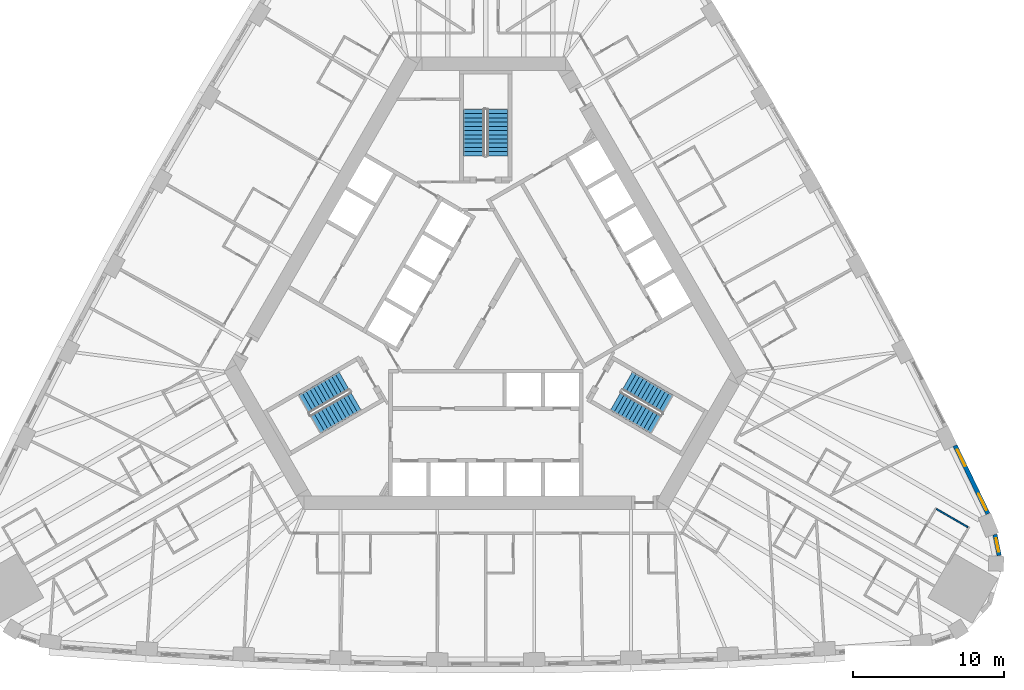
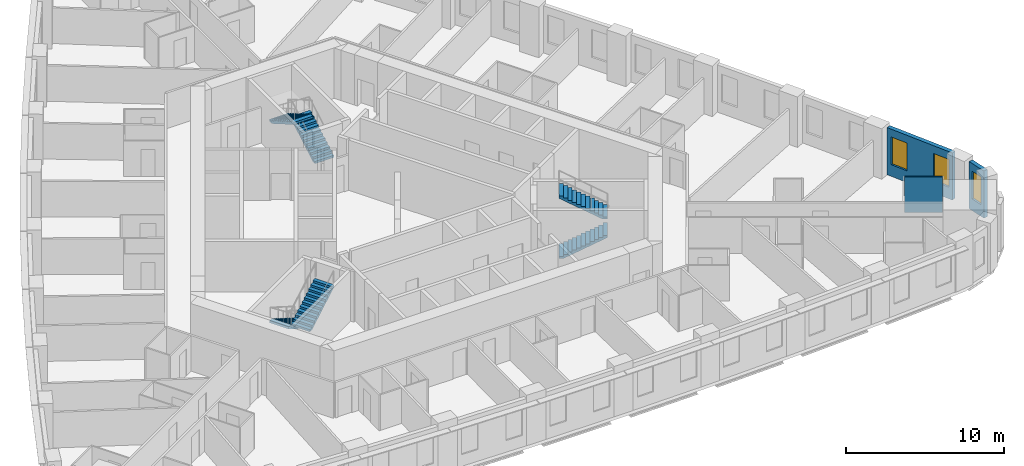
# One storey, part 12 of 13: 6 stair flights, 3 walls, 3 windows, 3 openings, 3 elements without a shape of their own.
"""IFC4 building model written with IfcOpenShell, lengths in metres."""

from ifc_helpers import new_model, si_unit, direction, frame, frame_2d, origin, place, context, subcontext, project, spatial, polyline, rectangle, outline, extrude, material, layer, layer_set, type_object, element, fill, aggregate, save


model = new_model("IFC4")

# Units and contexts
model_context = context("Model", 3, precision=1e-05, world=origin(), true_north=direction((0.0, 1.0)))
body_context = subcontext(model_context, "Body", "Model", "MODEL_VIEW")
ifc_project = project(units=[si_unit("LENGTHUNIT", "METRE"), si_unit("AREAUNIT", "SQUARE_METRE"), si_unit("VOLUMEUNIT", "CUBIC_METRE"), si_unit("PLANEANGLEUNIT", "RADIAN"), si_unit("MASSUNIT", "GRAM", prefix="KILO")], contexts=[model_context])

# Site, building, storey
site_placement = place(None, origin())
site = spatial("IfcSite", under=ifc_project, at=site_placement, CompositionType="ELEMENT")
building_placement = place(site_placement, origin())
building = spatial("IfcBuilding", under=site, at=building_placement, Name="Mestral Congress Tower", CompositionType="ELEMENT")
storey_placement = place(building_placement, frame((0.0, 0.0, 31.5)))
storey = spatial("IfcBuildingStorey", under=building, at=storey_placement, Name="L06", CompositionType="ELEMENT", Elevation=31.5)

# Wall, opening, window
ifc_material_1 = material(Name="Precast concrete C40/50 with limestone facing", Category="masonry")
ifc_layer_1 = layer(ifc_material_1, 0.2900390625)
ifc_layer_set_1 = layer_set([ifc_layer_1], Name="Precast concrete C40/50 with limestone facing")
wall_type_1 = type_object("IfcWallType", Name="Facade stone wall 290", PredefinedType="SOLIDWALL", material=ifc_layer_set_1)
wall_1_placement = place(storey_placement, frame((33.91748046875, -16.043701171875, 0.0), z_axis=(0.0, 0.0, 1.0), x_axis=(-0.198106888228, 0.980180422594, 0.0)))
wall_1 = element("IfcWall", 1, at=wall_1_placement, inside=storey, type_object=wall_type_1, Name="Facade wall K0-3", PredefinedType="SOLIDWALL", context=body_context, shape_type="SweptSolid", body=[
    extrude(rectangle(XDim=1.414794921875, YDim=0.2900390625, at=frame_2d((0.70751953125, 0.0))), origin(), (0.0, 0.0, 1.0), 3.64990234375),
])
opening_1_placement = place(wall_1_placement, frame((0.25732421875, 0.0, 0.89990234375)))
opening_1 = element("IfcOpeningElement", 2, at=opening_1_placement, cuts=wall_1, Name="Opening W3", PredefinedType="OPENING", context=body_context, shape_type="SweptSolid", body=[
    extrude(rectangle(XDim=0.89990234375, YDim=2.14990234375, at=frame_2d((0.449951171875, 1.074951171875))), frame((0.0, 0.155029296875, 0.0), z_axis=(0.0, -1.0, 0.0), x_axis=(1.0, 0.0, 0.0)), (0.0, 0.0, 1.0), 0.31005859375),
])
ifc_material_2 = material(Name="Clear low-emissivity double glazing", Category="glass")
window_type_1 = type_object("IfcWindowType", Name="Facade punched window 900 x 2150 sill 900", PartitioningType="SINGLE_PANEL", PredefinedType="WINDOW", material=ifc_material_2)
window_1_placement = place(opening_1_placement, origin())
window_1 = element("IfcWindow", 3, at=window_1_placement, inside=storey, type_object=window_type_1, Name="Window K0-3", OverallHeight=2.14990234375, OverallWidth=0.89990234375, PartitioningType="SINGLE_PANEL", PredefinedType="WINDOW", context=body_context, shape_type="SweptSolid", body=[
    extrude(rectangle(XDim=0.89990234375, YDim=2.14990234375, at=frame_2d((0.449951171875, 1.074951171875))), frame((0.0, 0.01513671875, 0.0), z_axis=(0.0, -1.0, 0.0), x_axis=(1.0, 0.0, 0.0)), (0.0, 0.0, 1.0), 0.06005859375),
])
fill(opening_1, window_1)

# Wall, openings, windows
wall_2_placement = place(storey_placement, frame((33.176025390625, -13.290283203125, 0.0), z_axis=(0.0, 0.0, 1.0), x_axis=(-0.434664499056, 0.900592456808, 0.0)))
wall_2 = element("IfcWall", 4, at=wall_2_placement, inside=storey, type_object=wall_type_1, Name="Facade wall F1-00", PredefinedType="SOLIDWALL", context=body_context, shape_type="SweptSolid", body=[
    extrude(rectangle(XDim=5.005615234375, YDim=0.2900390625, at=frame_2d((2.5029296875, 0.0))), origin(), (0.0, 0.0, 1.0), 3.64990234375),
])
opening_2_placement = place(wall_2_placement, frame((0.265380859375, 0.0, 0.89990234375)))
opening_2 = element("IfcOpeningElement", 5, at=opening_2_placement, cuts=wall_2, Name="Opening W1", PredefinedType="OPENING", context=body_context, shape_type="SweptSolid", body=[
    extrude(rectangle(XDim=1.199951171875, YDim=2.14990234375, at=frame_2d((0.60009765625, 1.074951171875))), frame((0.0, 0.155029296875, 0.0), z_axis=(0.0, -1.0, 0.0), x_axis=(1.0, 0.0, 0.0)), (0.0, 0.0, 1.0), 0.31005859375),
])
opening_3_placement = place(wall_2_placement, frame((3.49560546875, 0.0, 0.89990234375)))
opening_3 = element("IfcOpeningElement", 6, at=opening_3_placement, cuts=wall_2, Name="Opening W1", PredefinedType="OPENING", context=body_context, shape_type="SweptSolid", body=[
    extrude(rectangle(XDim=1.199951171875, YDim=2.14990234375, at=frame_2d((0.60009765625, 1.074951171875))), frame((0.0, 0.155029296875, 0.0), z_axis=(0.0, -1.0, 0.0), x_axis=(1.0, 0.0, 0.0)), (0.0, 0.0, 1.0), 0.31005859375),
])
window_type_2 = type_object("IfcWindowType", Name="Facade punched window 1200 x 2150 sill 900", PartitioningType="DOUBLE_PANEL_VERTICAL", PredefinedType="WINDOW", material=ifc_material_2)
window_2_placement = place(opening_2_placement, origin())
window_2 = element("IfcWindow", 7, at=window_2_placement, inside=storey, type_object=window_type_2, Name="Window F1-00a", OverallHeight=2.14990234375, OverallWidth=1.199951171875, PartitioningType="DOUBLE_PANEL_VERTICAL", PredefinedType="WINDOW", context=body_context, shape_type="SweptSolid", body=[
    extrude(rectangle(XDim=1.199951171875, YDim=2.14990234375, at=frame_2d((0.60009765625, 1.074951171875))), frame((0.0, 0.01513671875, 0.0), z_axis=(0.0, -1.0, 0.0), x_axis=(1.0, 0.0, 0.0)), (0.0, 0.0, 1.0), 0.06005859375),
])
fill(opening_2, window_2)
window_3_placement = place(opening_3_placement, origin())
window_3 = element("IfcWindow", 8, at=window_3_placement, inside=storey, type_object=window_type_2, Name="Window F1-00b", OverallHeight=2.14990234375, OverallWidth=1.199951171875, PartitioningType="DOUBLE_PANEL_VERTICAL", PredefinedType="WINDOW", context=body_context, shape_type="SweptSolid", body=[
    extrude(rectangle(XDim=1.199951171875, YDim=2.14990234375, at=frame_2d((0.60009765625, 1.074951171875))), frame((0.0, 0.01513671875, 0.0), z_axis=(0.0, -1.0, 0.0), x_axis=(1.0, 0.0, 0.0)), (0.0, 0.0, 1.0), 0.06005859375),
])
fill(opening_3, window_3)

# Wall
ifc_material_3 = material(Name="Gypsum board partition on metal studs with mineral wool", Category="composite")
ifc_layer_2 = layer(ifc_material_3, 0.10009765625)
ifc_layer_set_2 = layer_set([ifc_layer_2], Name="Gypsum board partition on metal studs with mineral wool")
wall_type_2 = type_object("IfcWallType", Name="Hotel partition wall 100", PredefinedType="PARTITIONING", material=ifc_layer_set_2)
wall_3_placement = place(storey_placement, frame((29.770751953125, -12.973388671875, 0.0), z_axis=(0.0, 0.0, 1.0), x_axis=(0.865980596518, -0.500077600433, 0.0)))
element("IfcWall", 9, at=wall_3_placement, inside=storey, type_object=wall_type_2, Name="L06-h-pod11b", PredefinedType="PARTITIONING", context=body_context, shape_type="SweptSolid", body=[
    extrude(rectangle(XDim=2.39990234375, YDim=0.10009765625, at=frame_2d((1.199951171875, 0.0))), origin(), (0.0, 0.0, 1.0), 2.75),
])

# Stair, stair flights
ifc_material_4 = material(Name="Concrete C60/75", Category="concrete")
stair_type = type_object("IfcStairType", Name="Exit stair 1400", PredefinedType="HALF_TURN_STAIR", material=ifc_material_4)
placement = place(storey_placement, origin())
stair_1 = element("IfcStair", 10, at=placement, inside=storey, type_object=stair_type, Name="L06 ST1", PredefinedType="HALF_TURN_STAIR")
stair_flight_type = type_object("IfcStairFlightType", Name="Exit stair flight 1400", PredefinedType="STRAIGHT", material=ifc_material_4)
stair_flight_1_placement = place(storey_placement, frame((8.575927734375, -5.84619140625, 0.0), z_axis=(0.0, 0.0, 1.0), x_axis=(0.866025403784, -0.5, 0.0)))
stair_flight_1 = element("IfcStairFlight", 11, at=stair_flight_1_placement, type_object=stair_flight_type, Name="ST1 flight 1", NumberOfRisers=12, NumberOfTreads=11, PredefinedType="STRAIGHT", RiserHeight=0.1625, TreadLength=0.28, context=body_context, shape_type="SweptSolid", body=[
    extrude(outline(polyline([(0.0, 0.0), (0.0, 0.16259765625), (0.280029296875, 0.16259765625), (0.280029296875, 0.324951171875), (0.56005859375, 0.324951171875), (0.56005859375, 0.487548828125), (0.840087890625, 0.487548828125), (0.840087890625, 0.64990234375), (1.1201171875, 0.64990234375), (1.1201171875, 0.8125), (1.39990234375, 0.8125), (1.39990234375, 0.97509765625), (1.679931640625, 0.97509765625), (1.679931640625, 1.137451171875), (1.9599609375, 1.137451171875), (1.9599609375, 1.300048828125), (2.239990234375, 1.300048828125), (2.239990234375, 1.46240234375), (2.52001953125, 1.46240234375), (2.52001953125, 1.625), (2.800048828125, 1.625), (2.800048828125, 1.78759765625), (3.080078125, 1.78759765625), (3.080078125, 1.949951171875), (3.080078125, 1.6142578125), (0.298583984375, 0.0), (0.0, 0.0)])), frame((0.0, 0.699951171875, 0.0), z_axis=(0.0, -1.0, 0.0), x_axis=(1.0, 0.0, 0.0)), (0.0, 0.0, 1.0), 1.39990234375),
])
stair_flight_2_placement = place(storey_placement, frame((12.018310546875, -6.0439453125, 1.949951171875), z_axis=(0.0, 0.0, 1.0), x_axis=(-0.866025403784, 0.5, 0.0)))
stair_flight_2 = element("IfcStairFlight", 12, at=stair_flight_2_placement, type_object=stair_flight_type, Name="ST1 flight 2", NumberOfRisers=12, NumberOfTreads=11, PredefinedType="STRAIGHT", RiserHeight=0.1625, TreadLength=0.28, context=body_context, shape_type="SweptSolid", body=[
    extrude(outline(polyline([(0.0, 0.0), (0.0, 0.16259765625), (0.280029296875, 0.16259765625), (0.280029296875, 0.324951171875), (0.56005859375, 0.324951171875), (0.56005859375, 0.487548828125), (0.840087890625, 0.487548828125), (0.840087890625, 0.64990234375), (1.1201171875, 0.64990234375), (1.1201171875, 0.8125), (1.39990234375, 0.8125), (1.39990234375, 0.97509765625), (1.679931640625, 0.97509765625), (1.679931640625, 1.137451171875), (1.9599609375, 1.137451171875), (1.9599609375, 1.300048828125), (2.239990234375, 1.300048828125), (2.239990234375, 1.46240234375), (2.52001953125, 1.46240234375), (2.52001953125, 1.625), (2.800048828125, 1.625), (2.800048828125, 1.78759765625), (3.080078125, 1.78759765625), (3.080078125, 1.949951171875), (3.080078125, 1.6142578125), (0.298583984375, 0.0), (0.0, 0.0)])), frame((0.0, 0.699951171875, 0.0), z_axis=(0.0, -1.0, 0.0), x_axis=(1.0, 0.0, 0.0)), (0.0, 0.0, 1.0), 1.39990234375),
])
aggregate(stair_1, [stair_flight_1, stair_flight_2])

stair_2 = element("IfcStair", 13, at=placement, inside=storey, type_object=stair_type, Name="L06 ST2", PredefinedType="HALF_TURN_STAIR")
stair_flight_3_placement = place(storey_placement, frame((0.77490234375, 10.35009765625, 0.0), z_axis=(0.0, 0.0, 1.0), x_axis=(0.0, 1.0, 0.0)))
stair_flight_3 = element("IfcStairFlight", 14, at=stair_flight_3_placement, type_object=stair_flight_type, Name="ST2 flight 1", NumberOfRisers=12, NumberOfTreads=11, PredefinedType="STRAIGHT", RiserHeight=0.1625, TreadLength=0.28, context=body_context, shape_type="SweptSolid", body=[
    extrude(outline(polyline([(0.0, 0.0), (0.0, 0.16259765625), (0.280029296875, 0.16259765625), (0.280029296875, 0.324951171875), (0.56005859375, 0.324951171875), (0.56005859375, 0.487548828125), (0.840087890625, 0.487548828125), (0.840087890625, 0.64990234375), (1.1201171875, 0.64990234375), (1.1201171875, 0.8125), (1.39990234375, 0.8125), (1.39990234375, 0.97509765625), (1.679931640625, 0.97509765625), (1.679931640625, 1.137451171875), (1.9599609375, 1.137451171875), (1.9599609375, 1.300048828125), (2.239990234375, 1.300048828125), (2.239990234375, 1.46240234375), (2.52001953125, 1.46240234375), (2.52001953125, 1.625), (2.800048828125, 1.625), (2.800048828125, 1.78759765625), (3.080078125, 1.78759765625), (3.080078125, 1.949951171875), (3.080078125, 1.6142578125), (0.298583984375, 0.0), (0.0, 0.0)])), frame((0.0, 0.699951171875, 0.0), z_axis=(0.0, -1.0, 0.0), x_axis=(1.0, 0.0, 0.0)), (0.0, 0.0, 1.0), 1.39990234375),
])
stair_flight_4_placement = place(storey_placement, frame((-0.77490234375, 13.429931640625, 1.949951171875), z_axis=(0.0, 0.0, 1.0), x_axis=(0.0, -1.0, 0.0)))
stair_flight_4 = element("IfcStairFlight", 15, at=stair_flight_4_placement, type_object=stair_flight_type, Name="ST2 flight 2", NumberOfRisers=12, NumberOfTreads=11, PredefinedType="STRAIGHT", RiserHeight=0.1625, TreadLength=0.28, context=body_context, shape_type="SweptSolid", body=[
    extrude(outline(polyline([(0.0, 0.0), (0.0, 0.16259765625), (0.280029296875, 0.16259765625), (0.280029296875, 0.324951171875), (0.56005859375, 0.324951171875), (0.56005859375, 0.487548828125), (0.840087890625, 0.487548828125), (0.840087890625, 0.64990234375), (1.1201171875, 0.64990234375), (1.1201171875, 0.8125), (1.39990234375, 0.8125), (1.39990234375, 0.97509765625), (1.679931640625, 0.97509765625), (1.679931640625, 1.137451171875), (1.9599609375, 1.137451171875), (1.9599609375, 1.300048828125), (2.239990234375, 1.300048828125), (2.239990234375, 1.46240234375), (2.52001953125, 1.46240234375), (2.52001953125, 1.625), (2.800048828125, 1.625), (2.800048828125, 1.78759765625), (3.080078125, 1.78759765625), (3.080078125, 1.949951171875), (3.080078125, 1.6142578125), (0.298583984375, 0.0), (0.0, 0.0)])), frame((0.0, 0.699951171875, 0.0), z_axis=(0.0, -1.0, 0.0), x_axis=(1.0, 0.0, 0.0)), (0.0, 0.0, 1.0), 1.39990234375),
])
aggregate(stair_2, [stair_flight_3, stair_flight_4])

stair_3 = element("IfcStair", 16, at=placement, inside=storey, type_object=stair_type, Name="L06 ST3", PredefinedType="HALF_TURN_STAIR")
stair_flight_5_placement = place(storey_placement, frame((-9.350830078125, -4.50390625, 0.0), z_axis=(0.0, 0.0, 1.0), x_axis=(-0.866025403784, -0.5, 0.0)))
stair_flight_5 = element("IfcStairFlight", 17, at=stair_flight_5_placement, type_object=stair_flight_type, Name="ST3 flight 1", NumberOfRisers=12, NumberOfTreads=11, PredefinedType="STRAIGHT", RiserHeight=0.1625, TreadLength=0.28, context=body_context, shape_type="SweptSolid", body=[
    extrude(outline(polyline([(0.0, 0.0), (0.0, 0.16259765625), (0.280029296875, 0.16259765625), (0.280029296875, 0.324951171875), (0.56005859375, 0.324951171875), (0.56005859375, 0.487548828125), (0.840087890625, 0.487548828125), (0.840087890625, 0.64990234375), (1.1201171875, 0.64990234375), (1.1201171875, 0.8125), (1.39990234375, 0.8125), (1.39990234375, 0.97509765625), (1.679931640625, 0.97509765625), (1.679931640625, 1.137451171875), (1.9599609375, 1.137451171875), (1.9599609375, 1.300048828125), (2.239990234375, 1.300048828125), (2.239990234375, 1.46240234375), (2.52001953125, 1.46240234375), (2.52001953125, 1.625), (2.800048828125, 1.625), (2.800048828125, 1.78759765625), (3.080078125, 1.78759765625), (3.080078125, 1.949951171875), (3.080078125, 1.6142578125), (0.298583984375, 0.0), (0.0, 0.0)])), frame((0.0, 0.699951171875, 0.0), z_axis=(0.0, -1.0, 0.0), x_axis=(1.0, 0.0, 0.0)), (0.0, 0.0, 1.0), 1.39990234375),
])
stair_flight_6_placement = place(storey_placement, frame((-11.2431640625, -7.38623046875, 1.949951171875), z_axis=(0.0, 0.0, 1.0), x_axis=(0.866025403784, 0.5, 0.0)))
stair_flight_6 = element("IfcStairFlight", 18, at=stair_flight_6_placement, type_object=stair_flight_type, Name="ST3 flight 2", NumberOfRisers=12, NumberOfTreads=11, PredefinedType="STRAIGHT", RiserHeight=0.1625, TreadLength=0.28, context=body_context, shape_type="SweptSolid", body=[
    extrude(outline(polyline([(0.0, 0.0), (0.0, 0.16259765625), (0.280029296875, 0.16259765625), (0.280029296875, 0.324951171875), (0.56005859375, 0.324951171875), (0.56005859375, 0.487548828125), (0.840087890625, 0.487548828125), (0.840087890625, 0.64990234375), (1.1201171875, 0.64990234375), (1.1201171875, 0.8125), (1.39990234375, 0.8125), (1.39990234375, 0.97509765625), (1.679931640625, 0.97509765625), (1.679931640625, 1.137451171875), (1.9599609375, 1.137451171875), (1.9599609375, 1.300048828125), (2.239990234375, 1.300048828125), (2.239990234375, 1.46240234375), (2.52001953125, 1.46240234375), (2.52001953125, 1.625), (2.800048828125, 1.625), (2.800048828125, 1.78759765625), (3.080078125, 1.78759765625), (3.080078125, 1.949951171875), (3.080078125, 1.6142578125), (0.298583984375, 0.0), (0.0, 0.0)])), frame((0.0, 0.699951171875, 0.0), z_axis=(0.0, -1.0, 0.0), x_axis=(1.0, 0.0, 0.0)), (0.0, 0.0, 1.0), 1.39990234375),
])
aggregate(stair_3, [stair_flight_5, stair_flight_6])

save(model, "model.ifc")
